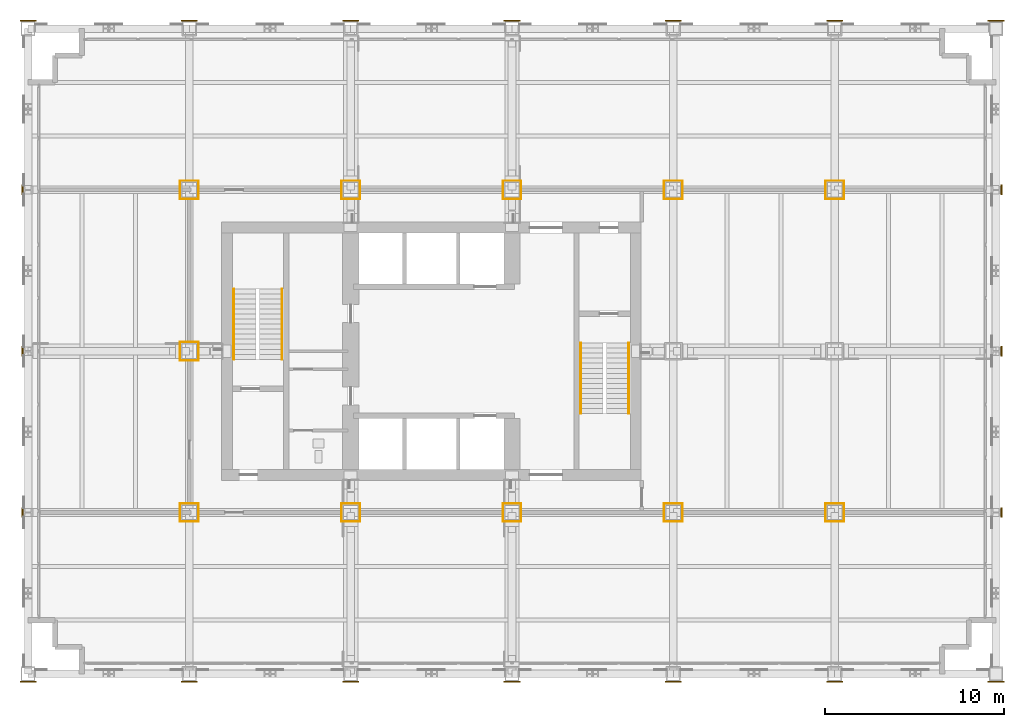
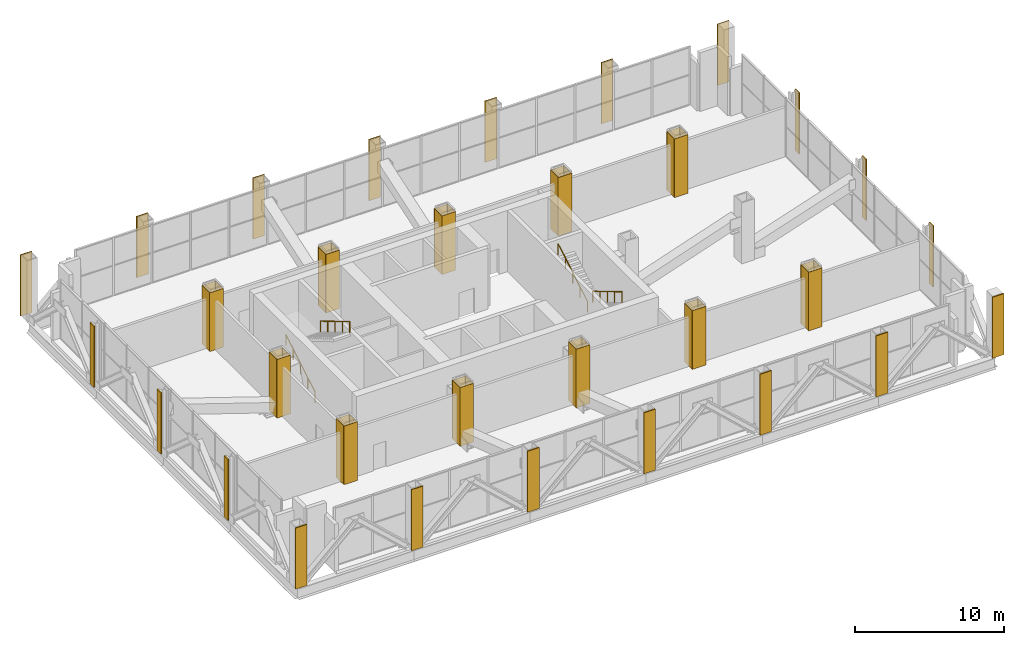
# One storey, part 18 of 19: 64 coverings, 4 railings.
"""IFC4 building model written with IfcOpenShell, lengths in metres."""

from ifc_helpers import new_model, si_unit, direction, frame, origin, origin_2d, place, context, subcontext, project, spatial, rectangle, circle, extrude, material, layer, layer_set, type_object, element, save


model = new_model("IFC4")

# Units and contexts
model_context = context("Model", 3, precision=1e-05, world=origin(), true_north=direction((0.0, 1.0)))
body_context = subcontext(model_context, "Body", "Model", "MODEL_VIEW")
ifc_project = project(units=[si_unit("LENGTHUNIT", "METRE"), si_unit("AREAUNIT", "SQUARE_METRE"), si_unit("VOLUMEUNIT", "CUBIC_METRE"), si_unit("PLANEANGLEUNIT", "RADIAN"), si_unit("MASSUNIT", "GRAM", prefix="KILO")], contexts=[model_context])

# Site, building, storey
site_placement = place(None, origin())
site = spatial("IfcSite", under=ifc_project, at=site_placement, CompositionType="ELEMENT")
building_placement = place(site_placement, origin())
building = spatial("IfcBuilding", under=site, at=building_placement, Name="Loomwork Tower", CompositionType="ELEMENT")
storey_placement = place(building_placement, frame((0.0, 0.0, 89.199951171875)))
storey = spatial("IfcBuildingStorey", under=building, at=storey_placement, Name="L23", CompositionType="ELEMENT", Elevation=89.199951171875)

# Coverings
ifc_material_1 = material(Name="Two-hour fire-rated gypsum board casing")
ifc_layer_1 = layer(ifc_material_1, 0.02490234375)
ifc_layer_set_1 = layer_set([ifc_layer_1], Name="Column fire casing 25")
covering_type_1 = type_object("IfcCoveringType", Name="Column fire casing 25", PredefinedType="CLADDING", material=ifc_layer_set_1)
for number, where, z_axis, x_axis, name in (
    (1, (9.0, 9.512451171875, 0.0), (0.0, 0.0, 1.0), (1.0, 0.0, 0.0), "Column casing 9 9 L23"),
    (2, (9.0, 8.487548828125, 0.0), (0.0, 0.0, 1.0), (1.0, 0.0, 0.0), "Column casing 9 9 L23"),
):
    element("IfcCovering", number, at=place(storey_placement, frame(where, z_axis=z_axis, x_axis=x_axis)), inside=storey, type_object=covering_type_1, Name=name, PredefinedType="CLADDING", context=body_context, shape_type="SweptSolid", body=[
        extrude(rectangle(XDim=1.050048828125, YDim=0.02490234375, at=origin_2d()), origin(), (0.0, 0.0, 1.0), 4.800048828125),
    ])
for number, where, z_axis, x_axis, name in (
    (3, (9.512451171875, 9.0, 0.0), (0.0, 0.0, 1.0), (1.0, 0.0, 0.0), "Column casing 9 9 L23"),
    (4, (8.487548828125, 9.0, 0.0), (0.0, 0.0, 1.0), (1.0, 0.0, 0.0), "Column casing 9 9 L23"),
):
    element("IfcCovering", number, at=place(storey_placement, frame(where, z_axis=z_axis, x_axis=x_axis)), inside=storey, type_object=covering_type_1, Name=name, PredefinedType="CLADDING", context=body_context, shape_type="SweptSolid", body=[
        extrude(rectangle(XDim=0.02490234375, YDim=1.0, at=origin_2d()), origin(), (0.0, 0.0, 1.0), 4.800048828125),
    ])
for number, where, z_axis, x_axis, name in (
    (5, (9.0, 18.512451171875, 0.0), (0.0, 0.0, 1.0), (1.0, 0.0, 0.0), "Column casing 9 18 L23"),
    (6, (9.0, 17.487548828125, 0.0), (0.0, 0.0, 1.0), (1.0, 0.0, 0.0), "Column casing 9 18 L23"),
):
    element("IfcCovering", number, at=place(storey_placement, frame(where, z_axis=z_axis, x_axis=x_axis)), inside=storey, type_object=covering_type_1, Name=name, PredefinedType="CLADDING", context=body_context, shape_type="SweptSolid", body=[
        extrude(rectangle(XDim=1.050048828125, YDim=0.02490234375, at=origin_2d()), origin(), (0.0, 0.0, 1.0), 4.800048828125),
    ])
for number, where, z_axis, x_axis, name in (
    (7, (9.512451171875, 18.0, 0.0), (0.0, 0.0, 1.0), (1.0, 0.0, 0.0), "Column casing 9 18 L23"),
    (8, (8.487548828125, 18.0, 0.0), (0.0, 0.0, 1.0), (1.0, 0.0, 0.0), "Column casing 9 18 L23"),
):
    element("IfcCovering", number, at=place(storey_placement, frame(where, z_axis=z_axis, x_axis=x_axis)), inside=storey, type_object=covering_type_1, Name=name, PredefinedType="CLADDING", context=body_context, shape_type="SweptSolid", body=[
        extrude(rectangle(XDim=0.02490234375, YDim=1.0, at=origin_2d()), origin(), (0.0, 0.0, 1.0), 4.800048828125),
    ])
for number, where, z_axis, x_axis, name in (
    (9, (9.0, 27.512451171875, 0.0), (0.0, 0.0, 1.0), (1.0, 0.0, 0.0), "Column casing 9 27 L23"),
    (10, (9.0, 26.487548828125, 0.0), (0.0, 0.0, 1.0), (1.0, 0.0, 0.0), "Column casing 9 27 L23"),
):
    element("IfcCovering", number, at=place(storey_placement, frame(where, z_axis=z_axis, x_axis=x_axis)), inside=storey, type_object=covering_type_1, Name=name, PredefinedType="CLADDING", context=body_context, shape_type="SweptSolid", body=[
        extrude(rectangle(XDim=1.050048828125, YDim=0.02490234375, at=origin_2d()), origin(), (0.0, 0.0, 1.0), 4.800048828125),
    ])
for number, where, z_axis, x_axis, name in (
    (11, (9.512451171875, 27.0, 0.0), (0.0, 0.0, 1.0), (1.0, 0.0, 0.0), "Column casing 9 27 L23"),
    (12, (8.487548828125, 27.0, 0.0), (0.0, 0.0, 1.0), (1.0, 0.0, 0.0), "Column casing 9 27 L23"),
):
    element("IfcCovering", number, at=place(storey_placement, frame(where, z_axis=z_axis, x_axis=x_axis)), inside=storey, type_object=covering_type_1, Name=name, PredefinedType="CLADDING", context=body_context, shape_type="SweptSolid", body=[
        extrude(rectangle(XDim=0.02490234375, YDim=1.0, at=origin_2d()), origin(), (0.0, 0.0, 1.0), 4.800048828125),
    ])
for number, where, z_axis, x_axis, name in (
    (13, (18.0, 9.512451171875, 0.0), (0.0, 0.0, 1.0), (1.0, 0.0, 0.0), "Column casing 18 9 L23"),
    (14, (18.0, 8.487548828125, 0.0), (0.0, 0.0, 1.0), (1.0, 0.0, 0.0), "Column casing 18 9 L23"),
):
    element("IfcCovering", number, at=place(storey_placement, frame(where, z_axis=z_axis, x_axis=x_axis)), inside=storey, type_object=covering_type_1, Name=name, PredefinedType="CLADDING", context=body_context, shape_type="SweptSolid", body=[
        extrude(rectangle(XDim=1.050048828125, YDim=0.02490234375, at=origin_2d()), origin(), (0.0, 0.0, 1.0), 4.800048828125),
    ])
for number, where, z_axis, x_axis, name in (
    (15, (18.512451171875, 9.0, 0.0), (0.0, 0.0, 1.0), (1.0, 0.0, 0.0), "Column casing 18 9 L23"),
    (16, (17.487548828125, 9.0, 0.0), (0.0, 0.0, 1.0), (1.0, 0.0, 0.0), "Column casing 18 9 L23"),
):
    element("IfcCovering", number, at=place(storey_placement, frame(where, z_axis=z_axis, x_axis=x_axis)), inside=storey, type_object=covering_type_1, Name=name, PredefinedType="CLADDING", context=body_context, shape_type="SweptSolid", body=[
        extrude(rectangle(XDim=0.02490234375, YDim=1.0, at=origin_2d()), origin(), (0.0, 0.0, 1.0), 4.800048828125),
    ])
for number, where, z_axis, x_axis, name in (
    (17, (18.0, 27.512451171875, 0.0), (0.0, 0.0, 1.0), (1.0, 0.0, 0.0), "Column casing 18 27 L23"),
    (18, (18.0, 26.487548828125, 0.0), (0.0, 0.0, 1.0), (1.0, 0.0, 0.0), "Column casing 18 27 L23"),
):
    element("IfcCovering", number, at=place(storey_placement, frame(where, z_axis=z_axis, x_axis=x_axis)), inside=storey, type_object=covering_type_1, Name=name, PredefinedType="CLADDING", context=body_context, shape_type="SweptSolid", body=[
        extrude(rectangle(XDim=1.050048828125, YDim=0.02490234375, at=origin_2d()), origin(), (0.0, 0.0, 1.0), 4.800048828125),
    ])
for number, where, z_axis, x_axis, name in (
    (19, (18.512451171875, 27.0, 0.0), (0.0, 0.0, 1.0), (1.0, 0.0, 0.0), "Column casing 18 27 L23"),
    (20, (17.487548828125, 27.0, 0.0), (0.0, 0.0, 1.0), (1.0, 0.0, 0.0), "Column casing 18 27 L23"),
):
    element("IfcCovering", number, at=place(storey_placement, frame(where, z_axis=z_axis, x_axis=x_axis)), inside=storey, type_object=covering_type_1, Name=name, PredefinedType="CLADDING", context=body_context, shape_type="SweptSolid", body=[
        extrude(rectangle(XDim=0.02490234375, YDim=1.0, at=origin_2d()), origin(), (0.0, 0.0, 1.0), 4.800048828125),
    ])
for number, where, z_axis, x_axis, name in (
    (21, (27.0, 9.512451171875, 0.0), (0.0, 0.0, 1.0), (1.0, 0.0, 0.0), "Column casing 27 9 L23"),
    (22, (27.0, 8.487548828125, 0.0), (0.0, 0.0, 1.0), (1.0, 0.0, 0.0), "Column casing 27 9 L23"),
):
    element("IfcCovering", number, at=place(storey_placement, frame(where, z_axis=z_axis, x_axis=x_axis)), inside=storey, type_object=covering_type_1, Name=name, PredefinedType="CLADDING", context=body_context, shape_type="SweptSolid", body=[
        extrude(rectangle(XDim=1.050048828125, YDim=0.02490234375, at=origin_2d()), origin(), (0.0, 0.0, 1.0), 4.800048828125),
    ])
for number, where, z_axis, x_axis, name in (
    (23, (27.512451171875, 9.0, 0.0), (0.0, 0.0, 1.0), (1.0, 0.0, 0.0), "Column casing 27 9 L23"),
    (24, (26.487548828125, 9.0, 0.0), (0.0, 0.0, 1.0), (1.0, 0.0, 0.0), "Column casing 27 9 L23"),
):
    element("IfcCovering", number, at=place(storey_placement, frame(where, z_axis=z_axis, x_axis=x_axis)), inside=storey, type_object=covering_type_1, Name=name, PredefinedType="CLADDING", context=body_context, shape_type="SweptSolid", body=[
        extrude(rectangle(XDim=0.02490234375, YDim=1.0, at=origin_2d()), origin(), (0.0, 0.0, 1.0), 4.800048828125),
    ])
for number, where, z_axis, x_axis, name in (
    (25, (27.0, 27.512451171875, 0.0), (0.0, 0.0, 1.0), (1.0, 0.0, 0.0), "Column casing 27 27 L23"),
    (26, (27.0, 26.487548828125, 0.0), (0.0, 0.0, 1.0), (1.0, 0.0, 0.0), "Column casing 27 27 L23"),
):
    element("IfcCovering", number, at=place(storey_placement, frame(where, z_axis=z_axis, x_axis=x_axis)), inside=storey, type_object=covering_type_1, Name=name, PredefinedType="CLADDING", context=body_context, shape_type="SweptSolid", body=[
        extrude(rectangle(XDim=1.050048828125, YDim=0.02490234375, at=origin_2d()), origin(), (0.0, 0.0, 1.0), 4.800048828125),
    ])
for number, where, z_axis, x_axis, name in (
    (27, (27.512451171875, 27.0, 0.0), (0.0, 0.0, 1.0), (1.0, 0.0, 0.0), "Column casing 27 27 L23"),
    (28, (26.487548828125, 27.0, 0.0), (0.0, 0.0, 1.0), (1.0, 0.0, 0.0), "Column casing 27 27 L23"),
):
    element("IfcCovering", number, at=place(storey_placement, frame(where, z_axis=z_axis, x_axis=x_axis)), inside=storey, type_object=covering_type_1, Name=name, PredefinedType="CLADDING", context=body_context, shape_type="SweptSolid", body=[
        extrude(rectangle(XDim=0.02490234375, YDim=1.0, at=origin_2d()), origin(), (0.0, 0.0, 1.0), 4.800048828125),
    ])
for number, where, z_axis, x_axis, name in (
    (29, (36.0, 9.512451171875, 0.0), (0.0, 0.0, 1.0), (1.0, 0.0, 0.0), "Column casing 36 9 L23"),
    (30, (36.0, 8.487548828125, 0.0), (0.0, 0.0, 1.0), (1.0, 0.0, 0.0), "Column casing 36 9 L23"),
):
    element("IfcCovering", number, at=place(storey_placement, frame(where, z_axis=z_axis, x_axis=x_axis)), inside=storey, type_object=covering_type_1, Name=name, PredefinedType="CLADDING", context=body_context, shape_type="SweptSolid", body=[
        extrude(rectangle(XDim=1.050048828125, YDim=0.02490234375, at=origin_2d()), origin(), (0.0, 0.0, 1.0), 4.800048828125),
    ])
for number, where, z_axis, x_axis, name in (
    (31, (36.512451171875, 9.0, 0.0), (0.0, 0.0, 1.0), (1.0, 0.0, 0.0), "Column casing 36 9 L23"),
    (32, (35.487548828125, 9.0, 0.0), (0.0, 0.0, 1.0), (1.0, 0.0, 0.0), "Column casing 36 9 L23"),
):
    element("IfcCovering", number, at=place(storey_placement, frame(where, z_axis=z_axis, x_axis=x_axis)), inside=storey, type_object=covering_type_1, Name=name, PredefinedType="CLADDING", context=body_context, shape_type="SweptSolid", body=[
        extrude(rectangle(XDim=0.02490234375, YDim=1.0, at=origin_2d()), origin(), (0.0, 0.0, 1.0), 4.800048828125),
    ])
for number, where, z_axis, x_axis, name in (
    (33, (36.0, 27.512451171875, 0.0), (0.0, 0.0, 1.0), (1.0, 0.0, 0.0), "Column casing 36 27 L23"),
    (34, (36.0, 26.487548828125, 0.0), (0.0, 0.0, 1.0), (1.0, 0.0, 0.0), "Column casing 36 27 L23"),
):
    element("IfcCovering", number, at=place(storey_placement, frame(where, z_axis=z_axis, x_axis=x_axis)), inside=storey, type_object=covering_type_1, Name=name, PredefinedType="CLADDING", context=body_context, shape_type="SweptSolid", body=[
        extrude(rectangle(XDim=1.050048828125, YDim=0.02490234375, at=origin_2d()), origin(), (0.0, 0.0, 1.0), 4.800048828125),
    ])
for number, where, z_axis, x_axis, name in (
    (35, (36.512451171875, 27.0, 0.0), (0.0, 0.0, 1.0), (1.0, 0.0, 0.0), "Column casing 36 27 L23"),
    (36, (35.487548828125, 27.0, 0.0), (0.0, 0.0, 1.0), (1.0, 0.0, 0.0), "Column casing 36 27 L23"),
):
    element("IfcCovering", number, at=place(storey_placement, frame(where, z_axis=z_axis, x_axis=x_axis)), inside=storey, type_object=covering_type_1, Name=name, PredefinedType="CLADDING", context=body_context, shape_type="SweptSolid", body=[
        extrude(rectangle(XDim=0.02490234375, YDim=1.0, at=origin_2d()), origin(), (0.0, 0.0, 1.0), 4.800048828125),
    ])
for number, where, z_axis, x_axis, name in (
    (37, (45.0, 9.512451171875, 0.0), (0.0, 0.0, 1.0), (1.0, 0.0, 0.0), "Column casing 45 9 L23"),
    (38, (45.0, 8.487548828125, 0.0), (0.0, 0.0, 1.0), (1.0, 0.0, 0.0), "Column casing 45 9 L23"),
):
    element("IfcCovering", number, at=place(storey_placement, frame(where, z_axis=z_axis, x_axis=x_axis)), inside=storey, type_object=covering_type_1, Name=name, PredefinedType="CLADDING", context=body_context, shape_type="SweptSolid", body=[
        extrude(rectangle(XDim=1.050048828125, YDim=0.02490234375, at=origin_2d()), origin(), (0.0, 0.0, 1.0), 4.800048828125),
    ])
for number, where, z_axis, x_axis, name in (
    (39, (45.512451171875, 9.0, 0.0), (0.0, 0.0, 1.0), (1.0, 0.0, 0.0), "Column casing 45 9 L23"),
    (40, (44.487548828125, 9.0, 0.0), (0.0, 0.0, 1.0), (1.0, 0.0, 0.0), "Column casing 45 9 L23"),
):
    element("IfcCovering", number, at=place(storey_placement, frame(where, z_axis=z_axis, x_axis=x_axis)), inside=storey, type_object=covering_type_1, Name=name, PredefinedType="CLADDING", context=body_context, shape_type="SweptSolid", body=[
        extrude(rectangle(XDim=0.02490234375, YDim=1.0, at=origin_2d()), origin(), (0.0, 0.0, 1.0), 4.800048828125),
    ])
for number, where, z_axis, x_axis, name in (
    (41, (45.0, 27.512451171875, 0.0), (0.0, 0.0, 1.0), (1.0, 0.0, 0.0), "Column casing 45 27 L23"),
    (42, (45.0, 26.487548828125, 0.0), (0.0, 0.0, 1.0), (1.0, 0.0, 0.0), "Column casing 45 27 L23"),
):
    element("IfcCovering", number, at=place(storey_placement, frame(where, z_axis=z_axis, x_axis=x_axis)), inside=storey, type_object=covering_type_1, Name=name, PredefinedType="CLADDING", context=body_context, shape_type="SweptSolid", body=[
        extrude(rectangle(XDim=1.050048828125, YDim=0.02490234375, at=origin_2d()), origin(), (0.0, 0.0, 1.0), 4.800048828125),
    ])
for number, where, z_axis, x_axis, name in (
    (43, (45.512451171875, 27.0, 0.0), (0.0, 0.0, 1.0), (1.0, 0.0, 0.0), "Column casing 45 27 L23"),
    (44, (44.487548828125, 27.0, 0.0), (0.0, 0.0, 1.0), (1.0, 0.0, 0.0), "Column casing 45 27 L23"),
):
    element("IfcCovering", number, at=place(storey_placement, frame(where, z_axis=z_axis, x_axis=x_axis)), inside=storey, type_object=covering_type_1, Name=name, PredefinedType="CLADDING", context=body_context, shape_type="SweptSolid", body=[
        extrude(rectangle(XDim=0.02490234375, YDim=1.0, at=origin_2d()), origin(), (0.0, 0.0, 1.0), 4.800048828125),
    ])

# Railings
ifc_material_2 = material(Name="Stainless steel handrail", Category="steel")
railing_type = type_object("IfcRailingType", Name="Handrail 900", PredefinedType="HANDRAIL", material=ifc_material_2)
railing_1_placement = place(storey_placement, frame((11.485107421875, 17.550048828125, 0.166748046875)))
element("IfcRailing", 45, at=railing_1_placement, inside=storey, type_object=railing_type, Name="Stair A handrail flight 1 L23", PredefinedType="HANDRAIL", context=body_context, shape_type="SweptSolid", body=[
    extrude(circle(Radius=0.02392578125, at=origin_2d()), frame((0.0, 0.0, 0.8759765625), z_axis=(0.0, 0.859296244711, 0.511478214419), x_axis=(-1.0, 0.0, 0.0)), (0.0, 0.0, 1.0), 4.561767578125),
    extrude(circle(Radius=0.02099609375, at=origin_2d()), origin(), (0.0, 0.0, 1.0), 0.851806640625),
    extrude(circle(Radius=0.02099609375, at=origin_2d()), frame((0.0, 0.97998046875, 0.583251953125)), (0.0, 0.0, 1.0), 0.851806640625),
    extrude(circle(Radius=0.02099609375, at=origin_2d()), frame((0.0, 1.9599609375, 1.16650390625)), (0.0, 0.0, 1.0), 0.851806640625),
    extrude(circle(Radius=0.02099609375, at=origin_2d()), frame((0.0, 2.93994140625, 1.75)), (0.0, 0.0, 1.0), 0.851806640625),
    extrude(circle(Radius=0.02099609375, at=origin_2d()), frame((0.0, 3.919921875, 2.333251953125)), (0.0, 0.0, 1.0), 0.851806640625),
])
for number, where, name in (
    (46, (14.1650390625, 21.469970703125, 2.666748046875), "Stair A handrail flight 2 L23"),
    (47, (33.514892578125, 18.449951171875, 0.166748046875), "Stair B handrail flight 1 L23"),
):
    element("IfcRailing", number, at=place(storey_placement, frame(where)), inside=storey, type_object=railing_type, Name=name, PredefinedType="HANDRAIL", context=body_context, shape_type="SweptSolid", body=[
        extrude(circle(Radius=0.02392578125, at=origin_2d()), frame((0.0, 0.0, 0.8759765625), z_axis=(0.0, -0.859296244711, 0.511478214419), x_axis=(1.0, 0.0, 0.0)), (0.0, 0.0, 1.0), 4.561767578125),
        extrude(circle(Radius=0.02099609375, at=origin_2d()), origin(), (0.0, 0.0, 1.0), 0.851806640625),
        extrude(circle(Radius=0.02099609375, at=origin_2d()), frame((0.0, -0.97998046875, 0.583251953125)), (0.0, 0.0, 1.0), 0.851806640625),
        extrude(circle(Radius=0.02099609375, at=origin_2d()), frame((0.0, -1.9599609375, 1.16650390625)), (0.0, 0.0, 1.0), 0.851806640625),
        extrude(circle(Radius=0.02099609375, at=origin_2d()), frame((0.0, -2.93994140625, 1.75)), (0.0, 0.0, 1.0), 0.851806640625),
        extrude(circle(Radius=0.02099609375, at=origin_2d()), frame((0.0, -3.919921875, 2.333251953125)), (0.0, 0.0, 1.0), 0.851806640625),
    ])
railing_2_placement = place(storey_placement, frame((30.8349609375, 14.530029296875, 2.666748046875)))
element("IfcRailing", 48, at=railing_2_placement, inside=storey, type_object=railing_type, Name="Stair B handrail flight 2 L23", PredefinedType="HANDRAIL", context=body_context, shape_type="SweptSolid", body=[
    extrude(circle(Radius=0.02392578125, at=origin_2d()), frame((0.0, 0.0, 0.8759765625), z_axis=(0.0, 0.859296244711, 0.511478214419), x_axis=(-1.0, 0.0, 0.0)), (0.0, 0.0, 1.0), 4.561767578125),
    extrude(circle(Radius=0.02099609375, at=origin_2d()), origin(), (0.0, 0.0, 1.0), 0.851806640625),
    extrude(circle(Radius=0.02099609375, at=origin_2d()), frame((0.0, 0.97998046875, 0.583251953125)), (0.0, 0.0, 1.0), 0.851806640625),
    extrude(circle(Radius=0.02099609375, at=origin_2d()), frame((0.0, 1.9599609375, 1.16650390625)), (0.0, 0.0, 1.0), 0.851806640625),
    extrude(circle(Radius=0.02099609375, at=origin_2d()), frame((0.0, 2.93994140625, 1.75)), (0.0, 0.0, 1.0), 0.851806640625),
    extrude(circle(Radius=0.02099609375, at=origin_2d()), frame((0.0, 3.919921875, 2.333251953125)), (0.0, 0.0, 1.0), 0.851806640625),
])

# Coverings
ifc_material_3 = material(Name="Limestone", Category="masonry")
ifc_layer_2 = layer(ifc_material_3, 0.080078125)
ifc_layer_set_2 = layer_set([ifc_layer_2], Name="Limestone pier facing 80")
covering_type_2 = type_object("IfcCoveringType", Name="Limestone pier facing 80", PredefinedType="CLADDING", material=ifc_layer_set_2)
covering_1_placement = place(storey_placement, frame((0.0, -0.43994140625, 0.0), z_axis=(0.0, 0.0, 1.0), x_axis=(1.0, 0.0, 0.0)))
element("IfcCovering", 49, at=covering_1_placement, inside=storey, type_object=covering_type_2, Name="Pier facing D/2 L23", PredefinedType="CLADDING", context=body_context, shape_type="SweptSolid", body=[
    extrude(rectangle(XDim=0.89990234375, YDim=0.080078125, at=origin_2d()), origin(), (0.0, 0.0, 1.0), 5.0),
])
for number, where, z_axis, x_axis, name in (
    (50, (-0.314208984375, 9.0, 0.0), (0.0, 0.0, 1.0), (1.0, 0.0, 0.0), "Pier facing E/2 L23"),
    (51, (-0.314208984375, 18.0, 0.0), (0.0, 0.0, 1.0), (1.0, 0.0, 0.0), "Pier facing F/2 L23"),
    (52, (-0.314208984375, 27.0, 0.0), (0.0, 0.0, 1.0), (1.0, 0.0, 0.0), "Pier facing G/2 L23"),
):
    element("IfcCovering", number, at=place(storey_placement, frame(where, z_axis=z_axis, x_axis=x_axis)), inside=storey, type_object=covering_type_2, Name=name, PredefinedType="CLADDING", context=body_context, shape_type="SweptSolid", body=[
        extrude(rectangle(XDim=0.080078125, YDim=0.549560546875, at=origin_2d()), origin(), (0.0, 0.0, 1.0), 5.0),
    ])
for number, where, z_axis, x_axis, name in (
    (53, (0.0, 36.43994140625, 0.0), (0.0, 0.0, 1.0), (1.0, 0.0, 0.0), "Pier facing H/2 L23"),
    (54, (9.0, -0.43994140625, 0.0), (0.0, 0.0, 1.0), (1.0, 0.0, 0.0), "Pier facing D/3 L23"),
    (55, (9.0, 36.43994140625, 0.0), (0.0, 0.0, 1.0), (1.0, 0.0, 0.0), "Pier facing H/3 L23"),
    (56, (18.0, -0.43994140625, 0.0), (0.0, 0.0, 1.0), (1.0, 0.0, 0.0), "Pier facing D/4 L23"),
    (57, (18.0, 36.43994140625, 0.0), (0.0, 0.0, 1.0), (1.0, 0.0, 0.0), "Pier facing H/4 L23"),
    (58, (27.0, -0.43994140625, 0.0), (0.0, 0.0, 1.0), (1.0, 0.0, 0.0), "Pier facing D/5 L23"),
    (59, (27.0, 36.43994140625, 0.0), (0.0, 0.0, 1.0), (1.0, 0.0, 0.0), "Pier facing H/5 L23"),
    (60, (36.0, -0.43994140625, 0.0), (0.0, 0.0, 1.0), (1.0, 0.0, 0.0), "Pier facing D/6 L23"),
    (61, (36.0, 36.43994140625, 0.0), (0.0, 0.0, 1.0), (1.0, 0.0, 0.0), "Pier facing H/6 L23"),
    (62, (45.0, -0.43994140625, 0.0), (0.0, 0.0, 1.0), (1.0, 0.0, 0.0), "Pier facing D/7 L23"),
    (63, (45.0, 36.43994140625, 0.0), (0.0, 0.0, 1.0), (1.0, 0.0, 0.0), "Pier facing H/7 L23"),
    (64, (54.0, -0.43994140625, 0.0), (0.0, 0.0, 1.0), (1.0, 0.0, 0.0), "Pier facing D/8 L23"),
):
    element("IfcCovering", number, at=place(storey_placement, frame(where, z_axis=z_axis, x_axis=x_axis)), inside=storey, type_object=covering_type_2, Name=name, PredefinedType="CLADDING", context=body_context, shape_type="SweptSolid", body=[
        extrude(rectangle(XDim=0.89990234375, YDim=0.080078125, at=origin_2d()), origin(), (0.0, 0.0, 1.0), 5.0),
    ])
for number, where, z_axis, x_axis, name in (
    (65, (54.314208984375, 9.0, 0.0), (0.0, 0.0, 1.0), (1.0, 0.0, 0.0), "Pier facing E/8 L23"),
    (66, (54.314208984375, 18.0, 0.0), (0.0, 0.0, 1.0), (1.0, 0.0, 0.0), "Pier facing F/8 L23"),
    (67, (54.314208984375, 27.0, 0.0), (0.0, 0.0, 1.0), (1.0, 0.0, 0.0), "Pier facing G/8 L23"),
):
    element("IfcCovering", number, at=place(storey_placement, frame(where, z_axis=z_axis, x_axis=x_axis)), inside=storey, type_object=covering_type_2, Name=name, PredefinedType="CLADDING", context=body_context, shape_type="SweptSolid", body=[
        extrude(rectangle(XDim=0.080078125, YDim=0.549560546875, at=origin_2d()), origin(), (0.0, 0.0, 1.0), 5.0),
    ])
covering_2_placement = place(storey_placement, frame((54.0, 36.43994140625, 0.0), z_axis=(0.0, 0.0, 1.0), x_axis=(1.0, 0.0, 0.0)))
element("IfcCovering", 68, at=covering_2_placement, inside=storey, type_object=covering_type_2, Name="Pier facing H/8 L23", PredefinedType="CLADDING", context=body_context, shape_type="SweptSolid", body=[
    extrude(rectangle(XDim=0.89990234375, YDim=0.080078125, at=origin_2d()), origin(), (0.0, 0.0, 1.0), 5.0),
])

save(model, "model.ifc")
